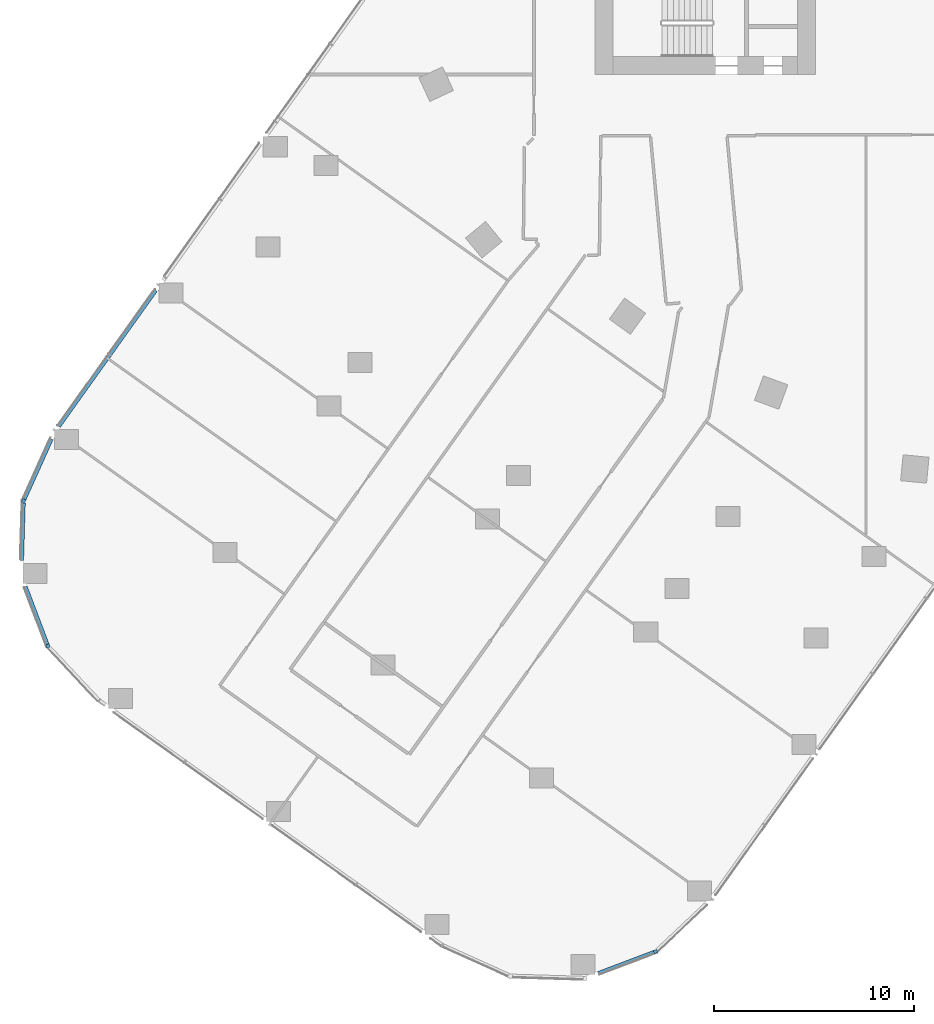
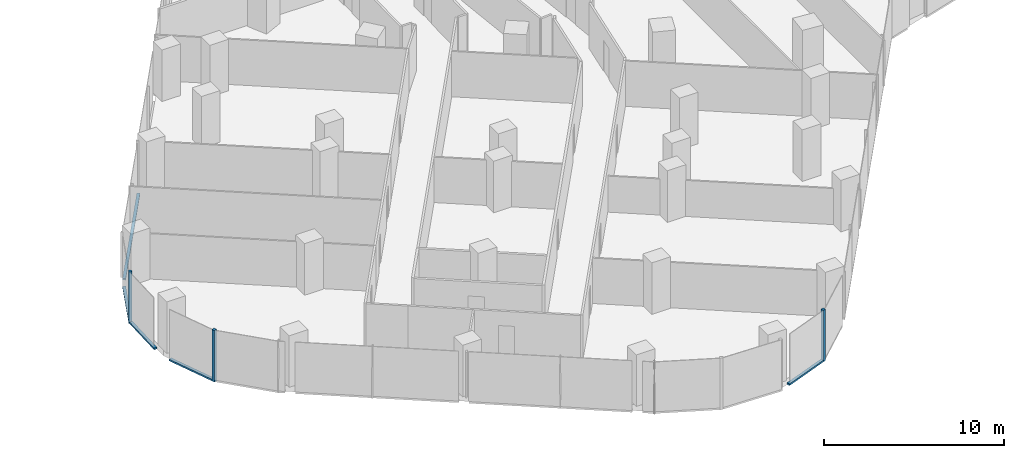
# One storey, part 3 of 31: 8 members, 5 elements without a shape of their own.
"""IFC4 building model written with IfcOpenShell, lengths in metres."""

from ifc_helpers import new_model, si_unit, direction, frame, origin, origin_2d, place, context, subcontext, project, spatial, rectangle, extrude, material, material_profile, profile_set, type_object, element, aggregate, save


model = new_model("IFC4")

# Units and contexts
model_context = context("Model", 3, precision=1e-05, world=origin(), true_north=direction((0.0, 1.0)))
body_context = subcontext(model_context, "Body", "Model", "MODEL_VIEW")
ifc_project = project(units=[si_unit("LENGTHUNIT", "METRE"), si_unit("AREAUNIT", "SQUARE_METRE"), si_unit("VOLUMEUNIT", "CUBIC_METRE"), si_unit("PLANEANGLEUNIT", "RADIAN"), si_unit("MASSUNIT", "GRAM", prefix="KILO")], contexts=[model_context])

# Site, building, storey
site_placement = place(None, origin())
site = spatial("IfcSite", under=ifc_project, at=site_placement, CompositionType="ELEMENT")
building_placement = place(site_placement, origin())
building = spatial("IfcBuilding", under=site, at=building_placement, Name="Orlundy Tower", CompositionType="ELEMENT")
storey_placement = place(building_placement, frame((0.0, 0.0, 91.199951171875)))
storey = spatial("IfcBuildingStorey", under=building, at=storey_placement, Name="L22", CompositionType="ELEMENT", Elevation=91.199951171875)

# Curtain wall, member
ifc_material_1 = material(Name="Aluminium bronze anodised", Category="aluminium")
curtain_wall_type = type_object("IfcCurtainWallType", Name="CW1 wall", PredefinedType="NOTDEFINED", material=ifc_material_1)
curtain_wall_1_placement = place(storey_placement, origin())
curtain_wall_1 = element("IfcCurtainWall", 1, at=curtain_wall_1_placement, inside=storey, type_object=curtain_wall_type, Name="CW1 run 020", PredefinedType="NOTDEFINED")
ifc_material_2 = material(Name="Aluminium bronze anodised", Category="aluminium")
ifc_material_profile_1 = material_profile(ifc_material_2, rectangle(XDim=0.179931640625, YDim=0.179931640625, at=origin_2d()), Name="CW1 corner post 180x180")
ifc_profile_set_1 = profile_set([ifc_material_profile_1], Name="Aluminium bronze anodised")
member_type_1 = type_object("IfcMemberType", Name="CW1 corner post 180x180", PredefinedType="MULLION", material=ifc_profile_set_1)
member_1_placement = place(storey_placement, frame((-15.984375, -55.751708984375, -0.39990234375), z_axis=(0.0, 0.0, 1.0), x_axis=(0.354166301715, -0.935182458523, 0.0)))
member_1 = element("IfcMember", 2, at=member_1_placement, type_object=member_type_1, Name="CW1 mullion 58", PredefinedType="MULLION", context=body_context, shape_type="SweptSolid", body=[
    extrude(rectangle(XDim=0.179931640625, YDim=0.179931640625, at=origin_2d()), origin(), (0.0, 0.0, 1.0), 3.5),
])

curtain_wall_2_placement = place(storey_placement, origin())
curtain_wall_2 = element("IfcCurtainWall", 3, at=curtain_wall_2_placement, inside=storey, type_object=curtain_wall_type, Name="CW1 run 025", PredefinedType="NOTDEFINED")
member_2_placement = place(storey_placement, frame((-46.298828125, -40.505615234375, -0.39990234375), z_axis=(0.0, 0.0, 1.0), x_axis=(-0.935182458523, -0.354166301715, 0.0)))
member_2 = element("IfcMember", 4, at=member_2_placement, type_object=member_type_1, Name="CW1 mullion 66", PredefinedType="MULLION", context=body_context, shape_type="SweptSolid", body=[
    extrude(rectangle(XDim=0.179931640625, YDim=0.179931640625, at=origin_2d()), origin(), (0.0, 0.0, 1.0), 3.5),
])

curtain_wall_3_placement = place(storey_placement, origin())
curtain_wall_3 = element("IfcCurtainWall", 5, at=curtain_wall_3_placement, inside=storey, type_object=curtain_wall_type, Name="CW1 run 027", PredefinedType="NOTDEFINED")
member_3_placement = place(storey_placement, frame((-47.510498046875, -33.264404296875, -0.39990234375), z_axis=(0.0, 0.0, 1.0), x_axis=(-0.911673970719, 0.410914311157, 0.0)))
member_3 = element("IfcMember", 6, at=member_3_placement, type_object=member_type_1, Name="CW1 mullion 68", PredefinedType="MULLION", context=body_context, shape_type="SweptSolid", body=[
    extrude(rectangle(XDim=0.179931640625, YDim=0.179931640625, at=origin_2d()), origin(), (0.0, 0.0, 1.0), 3.5),
])

curtain_wall_4_placement = place(storey_placement, origin())
curtain_wall_4 = element("IfcCurtainWall", 7, at=curtain_wall_4_placement, inside=storey, type_object=curtain_wall_type, Name="CW1 run 00", PredefinedType="NOTDEFINED")
ifc_material_3 = material(Name="Aluminium bronze anodised", Category="aluminium")
ifc_material_profile_2 = material_profile(ifc_material_3, rectangle(XDim=0.179931640625, YDim=0.1201171875, at=origin_2d()), Name="CW1 transom 180x120")
ifc_profile_set_2 = profile_set([ifc_material_profile_2], Name="Aluminium bronze anodised")
member_type_2 = type_object("IfcMemberType", Name="CW1 transom 180x120", PredefinedType="USERDEFINED", material=ifc_profile_set_2)
member_4_placement = place(storey_placement, frame((-45.754638671875, -29.550048828125, -0.33984375), z_axis=(0.580695047202, 0.814121159383, 0.0), x_axis=(-0.814121159383, 0.580695047202, 0.0)))
member_4 = element("IfcMember", 8, at=member_4_placement, type_object=member_type_2, Name="CW1 transom", ObjectType="TRANSOM", PredefinedType="USERDEFINED", context=body_context, shape_type="SweptSolid", body=[
    extrude(rectangle(XDim=0.179931640625, YDim=0.1201171875, at=origin_2d()), origin(), (0.0, 0.0, 1.0), 8.3359375),
])
aggregate(curtain_wall_4, [member_4])

# Member
member_5_placement = place(storey_placement, frame((-16.068603515625, -55.78369140625, -0.33984375), z_axis=(-0.935187055294, -0.354154163621, 0.0), x_axis=(0.354154163621, -0.935187055294, 0.0)))
member_5 = element("IfcMember", 9, at=member_5_placement, type_object=member_type_2, Name="CW1 transom", ObjectType="TRANSOM", PredefinedType="USERDEFINED", context=body_context, shape_type="SweptSolid", body=[
    extrude(rectangle(XDim=0.179931640625, YDim=0.1201171875, at=origin_2d()), origin(), (0.0, 0.0, 1.0), 2.97314453125),
])

aggregate(curtain_wall_1, [member_1, member_5])

member_6_placement = place(storey_placement, frame((-46.330810546875, -40.42138671875, -0.33984375), z_axis=(-0.354161942738, 0.935184109315, 0.0), x_axis=(-0.935184109315, -0.354161942738, 0.0)))
member_6 = element("IfcMember", 10, at=member_6_placement, type_object=member_type_2, Name="CW1 transom", ObjectType="TRANSOM", PredefinedType="USERDEFINED", context=body_context, shape_type="SweptSolid", body=[
    extrude(rectangle(XDim=0.179931640625, YDim=0.1201171875, at=origin_2d()), origin(), (0.0, 0.0, 1.0), 3.080078125),
])

aggregate(curtain_wall_2, [member_2, member_6])

# Curtain wall, member
curtain_wall_5_placement = place(storey_placement, origin())
curtain_wall_5 = element("IfcCurtainWall", 11, at=curtain_wall_5_placement, inside=storey, type_object=curtain_wall_type, Name="CW1 run 026", PredefinedType="NOTDEFINED")
member_7_placement = place(storey_placement, frame((-47.601318359375, -36.240966796875, -0.33984375), z_axis=(0.030512370061, 0.99953438924, 0.0), x_axis=(-0.99953438924, 0.030512370061, 0.0)))
member_7 = element("IfcMember", 12, at=member_7_placement, type_object=member_type_2, Name="CW1 transom", ObjectType="TRANSOM", PredefinedType="USERDEFINED", context=body_context, shape_type="SweptSolid", body=[
    extrude(rectangle(XDim=0.179931640625, YDim=0.1201171875, at=origin_2d()), origin(), (0.0, 0.0, 1.0), 2.88037109375),
])
aggregate(curtain_wall_5, [member_7])

# Member
member_8_placement = place(storey_placement, frame((-47.473388671875, -33.182373046875, -0.33984375), z_axis=(0.4108611797, 0.911697916536, 0.0), x_axis=(-0.911697916536, 0.4108611797, 0.0)))
member_8 = element("IfcMember", 13, at=member_8_placement, type_object=member_type_2, Name="CW1 transom", ObjectType="TRANSOM", PredefinedType="USERDEFINED", context=body_context, shape_type="SweptSolid", body=[
    extrude(rectangle(XDim=0.179931640625, YDim=0.1201171875, at=origin_2d()), origin(), (0.0, 0.0, 1.0), 3.291259765625),
])

aggregate(curtain_wall_3, [member_3, member_8])

save(model, "model.ifc")
